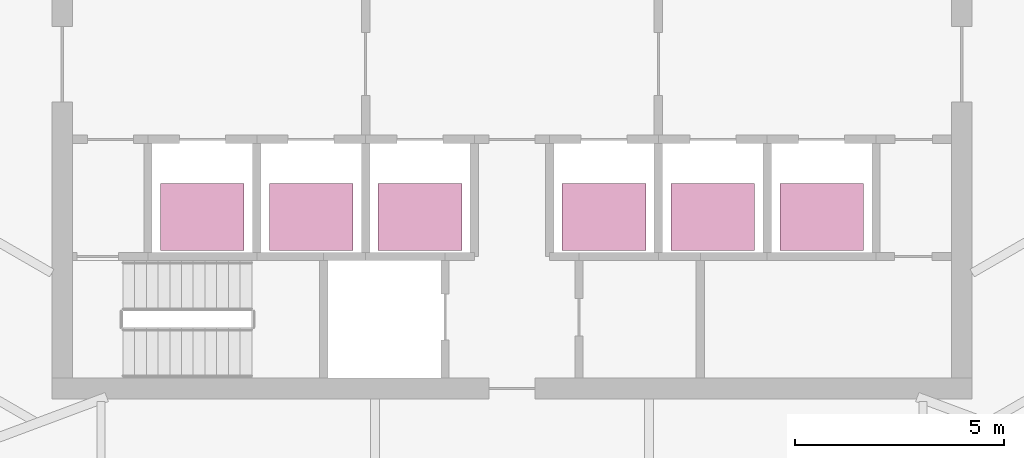
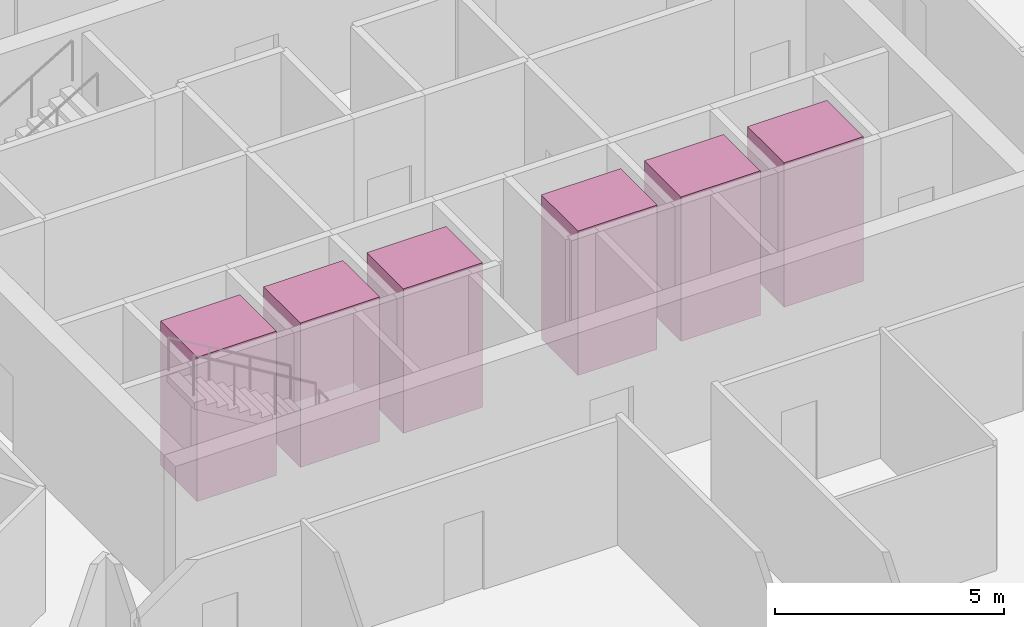
# One storey, part 15 of 15: 6 transport elements.
"""IFC4 building model written with IfcOpenShell, lengths in metres."""

from ifc_helpers import new_model, si_unit, direction, frame, origin, origin_2d, place, context, subcontext, project, spatial, rectangle, extrude, material, type_object, element, save


model = new_model("IFC4")

# Units and contexts
model_context = context("Model", 3, precision=1e-05, world=origin(), true_north=direction((0.0, 1.0)))
body_context = subcontext(model_context, "Body", "Model", "MODEL_VIEW")
ifc_project = project(units=[si_unit("LENGTHUNIT", "METRE"), si_unit("AREAUNIT", "SQUARE_METRE"), si_unit("VOLUMEUNIT", "CUBIC_METRE"), si_unit("PLANEANGLEUNIT", "RADIAN"), si_unit("MASSUNIT", "GRAM", prefix="KILO")], contexts=[model_context])

# Site, building, storey
site_placement = place(None, origin())
site = spatial("IfcSite", under=ifc_project, at=site_placement, CompositionType="ELEMENT")
building_placement = place(site_placement, origin())
building = spatial("IfcBuilding", under=site, at=building_placement, Name="Sierra Prisma Convention Tower", CompositionType="ELEMENT")
storey_placement = place(building_placement, frame((0.0, 0.0, 267.0)))
storey = spatial("IfcBuildingStorey", under=building, at=storey_placement, Name="L60", CompositionType="ELEMENT", Elevation=267.0)

# Transport elements
ifc_material = material(Name="Stainless steel", Category="steel")
transport_element_type = type_object("IfcTransportElementType", Name="Lift car office high 2000x1600 1600 kg", PredefinedType="ELEVATOR", material=ifc_material)
for number, where, z_axis, x_axis, name in (
    (1, (-7.39990234375, -3.64990234375, 0.0), (0.0, 0.0, 1.0), (1.0, 0.0, 0.0), "Lift OH1"),
    (2, (-4.800048828125, -3.64990234375, 0.0), (0.0, 0.0, 1.0), (1.0, 0.0, 0.0), "Lift OH2"),
    (3, (-2.199951171875, -3.64990234375, 0.0), (0.0, 0.0, 1.0), (1.0, 0.0, 0.0), "Lift OH3"),
    (4, (2.199951171875, -3.64990234375, 0.0), (0.0, 0.0, 1.0), (1.0, 0.0, 0.0), "Lift OH4"),
    (5, (4.800048828125, -3.64990234375, 0.0), (0.0, 0.0, 1.0), (1.0, 0.0, 0.0), "Lift OH5"),
    (6, (7.39990234375, -3.64990234375, 0.0), (0.0, 0.0, 1.0), (1.0, 0.0, 0.0), "Lift OH6"),
):
    element("IfcTransportElement", number, at=place(storey_placement, frame(where, z_axis=z_axis, x_axis=x_axis)), inside=storey, type_object=transport_element_type, Name=name, PredefinedType="ELEVATOR", context=body_context, shape_type="SweptSolid", body=[
        extrude(rectangle(XDim=2.0, YDim=1.60009765625, at=origin_2d()), origin(), (0.0, 0.0, 1.0), 3.85009765625),
    ])

save(model, "model.ifc")
